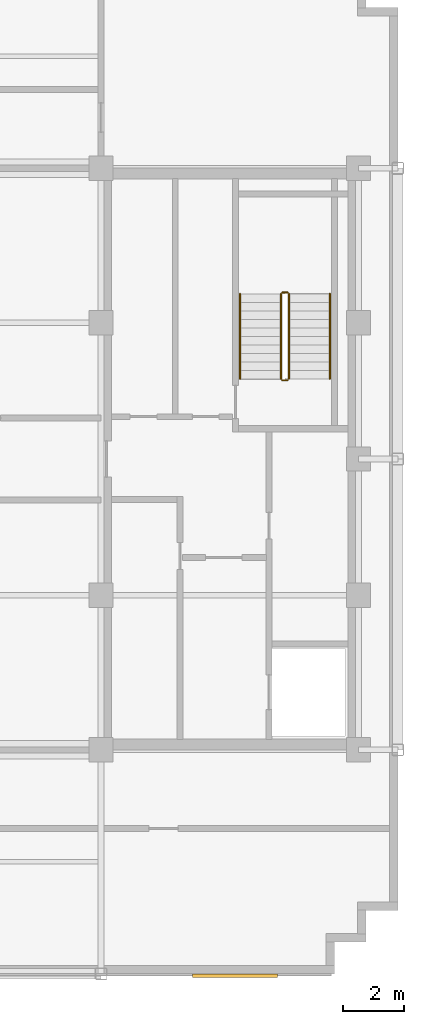
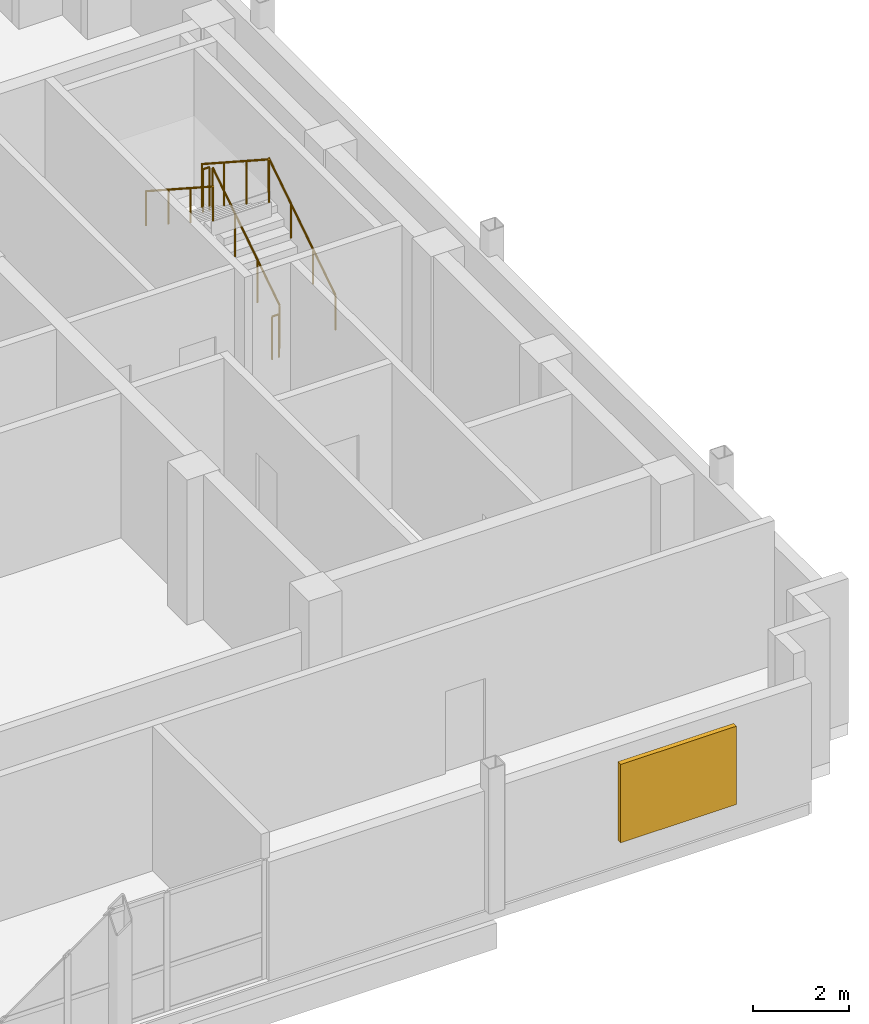
# One storey, part 9 of 10: 6 railings, 1 shading device.
"""IFC4 building model written with IfcOpenShell, lengths in metres."""

from ifc_helpers import new_model, si_unit, direction, frame, origin, origin_2d, place, context, subcontext, project, spatial, rectangle, circle, extrude, source, transform, mapped, material, type_object, type_shapes, element, save


model = new_model("IFC4")

# Units and contexts
model_context = context("Model", 3, precision=1e-05, world=origin(), true_north=direction((0.0, 1.0)))
body_context = subcontext(model_context, "Body", "Model", "MODEL_VIEW")
ifc_project = project(units=[si_unit("LENGTHUNIT", "METRE"), si_unit("AREAUNIT", "SQUARE_METRE"), si_unit("VOLUMEUNIT", "CUBIC_METRE"), si_unit("PLANEANGLEUNIT", "RADIAN"), si_unit("MASSUNIT", "GRAM", prefix="KILO")], contexts=[model_context])

# Site, building, storey
site_placement = place(None, origin())
site = spatial("IfcSite", under=ifc_project, at=site_placement, CompositionType="ELEMENT")
building_placement = place(site_placement, origin())
building = spatial("IfcBuilding", under=site, at=building_placement, Name="Nuvemarco Arch Tower", CompositionType="ELEMENT")
storey_placement = place(building_placement, frame((0.0, 0.0, 291.14990234375)))
storey = spatial("IfcBuildingStorey", under=building, at=storey_placement, Name="L77", CompositionType="ELEMENT", Elevation=291.14990234375)

# Railings
ifc_material_1 = material(Name="Brushed stainless steel handrail", Category="steel")
railing_type_1 = type_object("IfcRailingType", Name="RL-HANDRAIL-900", PredefinedType="HANDRAIL", material=ifc_material_1)
railing_1_placement = place(storey_placement, frame((16.550048828125, 2.64990234375, 0.181884765625)))
element("IfcRailing", 1, at=railing_1_placement, inside=storey, type_object=railing_type_1, Name="L77 ST-2 stair handrail 1", PredefinedType="HANDRAIL", context=body_context, shape_type="SweptSolid", body=[
    extrude(circle(Radius=0.02392578125, at=origin_2d()), frame((0.0, 0.0, 0.8759765625), z_axis=(0.0, 0.838705829183, 0.544584733623), x_axis=(-1.0, 0.0, 0.0)), (0.0, 0.0, 1.0), 3.338623046875),
    extrude(circle(Radius=0.02099609375, at=origin_2d()), origin(), (0.0, 0.0, 1.0), 0.851806640625),
    extrude(circle(Radius=0.02099609375, at=origin_2d()), frame((0.0, 0.933349609375, 0.60595703125)), (0.0, 0.0, 1.0), 0.851806640625),
    extrude(circle(Radius=0.02099609375, at=origin_2d()), frame((0.0, 1.86669921875, 1.212158203125)), (0.0, 0.0, 1.0), 0.851806640625),
    extrude(circle(Radius=0.02099609375, at=origin_2d()), frame((0.0, 2.800048828125, 1.818115234375)), (0.0, 0.0, 1.0), 0.851806640625),
])
railing_2_placement = place(storey_placement, frame((13.590087890625, 5.449951171875, 2.181884765625)))
element("IfcRailing", 2, at=railing_2_placement, inside=storey, type_object=railing_type_1, Name="L77 ST-2 stair handrail 2", PredefinedType="HANDRAIL", context=body_context, shape_type="SweptSolid", body=[
    extrude(circle(Radius=0.02392578125, at=origin_2d()), frame((0.0, 0.0, 0.8759765625), z_axis=(0.0, -0.838705829183, 0.544584733623), x_axis=(1.0, 0.0, 0.0)), (0.0, 0.0, 1.0), 3.338623046875),
    extrude(circle(Radius=0.02099609375, at=origin_2d()), origin(), (0.0, 0.0, 1.0), 0.851806640625),
    extrude(circle(Radius=0.02099609375, at=origin_2d()), frame((0.0, -0.933349609375, 0.60595703125)), (0.0, 0.0, 1.0), 0.851806640625),
    extrude(circle(Radius=0.02099609375, at=origin_2d()), frame((0.0, -1.86669921875, 1.212158203125)), (0.0, 0.0, 1.0), 0.851806640625),
    extrude(circle(Radius=0.02099609375, at=origin_2d()), frame((0.0, -2.800048828125, 1.818115234375)), (0.0, 0.0, 1.0), 0.851806640625),
])
ifc_material_2 = material(Name="Painted balustrade steel S355", Category="steel")
railing_type_2 = type_object("IfcRailingType", Name="RL-STAIR-GUARD", PredefinedType="GUARDRAIL", material=ifc_material_2)
railing_3_placement = place(storey_placement, frame((15.199951171875, 2.64990234375, 0.181884765625)))
element("IfcRailing", 3, at=railing_3_placement, inside=storey, type_object=railing_type_2, Name="L77 ST-2 stair guard 1", PredefinedType="GUARDRAIL", context=body_context, shape_type="SweptSolid", body=[
    extrude(circle(Radius=0.02392578125, at=origin_2d()), frame((0.0, 0.0, 1.09619140625), z_axis=(0.0, 0.838705829183, 0.544584733623), x_axis=(-1.0, 0.0, 0.0)), (0.0, 0.0, 1.0), 3.338623046875),
    extrude(circle(Radius=0.02099609375, at=origin_2d()), origin(), (0.0, 0.0, 1.0), 1.072021484375),
    extrude(circle(Radius=0.02099609375, at=origin_2d()), frame((0.0, 0.933349609375, 0.60595703125)), (0.0, 0.0, 1.0), 1.072021484375),
    extrude(circle(Radius=0.02099609375, at=origin_2d()), frame((0.0, 1.86669921875, 1.212158203125)), (0.0, 0.0, 1.0), 1.072021484375),
    extrude(circle(Radius=0.02099609375, at=origin_2d()), frame((0.0, 2.800048828125, 1.818115234375)), (0.0, 0.0, 1.0), 1.072021484375),
])
railing_4_placement = place(storey_placement, frame((15.14990234375, 5.5, 2.0)))
element("IfcRailing", 4, at=railing_4_placement, inside=storey, type_object=railing_type_2, Name="L77 ST-2 stair guard 2", PredefinedType="GUARDRAIL", context=body_context, shape_type="SweptSolid", body=[
    extrude(circle(Radius=0.02392578125, at=origin_2d()), frame((0.0, 0.0, 1.09619140625), z_axis=(-1.0, 0.0, 0.0), x_axis=(0.0, -1.0, 0.0)), (0.0, 0.0, 1.0), 0.159912109375),
    extrude(circle(Radius=0.02099609375, at=origin_2d()), origin(), (0.0, 0.0, 1.0), 1.072021484375),
    extrude(circle(Radius=0.02099609375, at=origin_2d()), frame((-0.159912109375, 0.0, 0.0)), (0.0, 0.0, 1.0), 1.072021484375),
])
railing_5_placement = place(storey_placement, frame((14.93994140625, 5.449951171875, 2.181884765625)))
element("IfcRailing", 5, at=railing_5_placement, inside=storey, type_object=railing_type_2, Name="L77 ST-2 stair guard 3", PredefinedType="GUARDRAIL", context=body_context, shape_type="SweptSolid", body=[
    extrude(circle(Radius=0.02392578125, at=origin_2d()), frame((0.0, 0.0, 1.09619140625), z_axis=(0.0, -0.838705829183, 0.544584733623), x_axis=(1.0, 0.0, 0.0)), (0.0, 0.0, 1.0), 3.338623046875),
    extrude(circle(Radius=0.02099609375, at=origin_2d()), origin(), (0.0, 0.0, 1.0), 1.072021484375),
    extrude(circle(Radius=0.02099609375, at=origin_2d()), frame((0.0, -0.933349609375, 0.60595703125)), (0.0, 0.0, 1.0), 1.072021484375),
    extrude(circle(Radius=0.02099609375, at=origin_2d()), frame((0.0, -1.86669921875, 1.212158203125)), (0.0, 0.0, 1.0), 1.072021484375),
    extrude(circle(Radius=0.02099609375, at=origin_2d()), frame((0.0, -2.800048828125, 1.818115234375)), (0.0, 0.0, 1.0), 1.072021484375),
])
railing_6_placement = place(storey_placement, frame((15.14990234375, 2.60009765625, 0.0)))
element("IfcRailing", 6, at=railing_6_placement, inside=storey, type_object=railing_type_2, Name="L77 ST-2 stair guard 4", PredefinedType="GUARDRAIL", context=body_context, shape_type="SweptSolid", body=[
    extrude(circle(Radius=0.02392578125, at=origin_2d()), frame((0.0, 0.0, 1.09619140625), z_axis=(-1.0, 0.0, 0.0), x_axis=(0.0, -1.0, 0.0)), (0.0, 0.0, 1.0), 0.159912109375),
    extrude(circle(Radius=0.02099609375, at=origin_2d()), origin(), (0.0, 0.0, 1.0), 1.072021484375),
    extrude(circle(Radius=0.02099609375, at=origin_2d()), frame((-0.159912109375, 0.0, 0.0)), (0.0, 0.0, 1.0), 1.072021484375),
])

# Shading device
ifc_material_3 = material(Name="Anodised aluminium 6063-T6", Category="aluminium")
shading_device_type = type_object("IfcShadingDeviceType", Name="SHD-LOUVRE-PLANT", PredefinedType="JALOUSIE", material=ifc_material_3)
shared_shape = source(origin(), body_context, "Body", "SweptSolid", [
    extrude(rectangle(XDim=2.800048828125, YDim=0.1201171875, at=origin_2d()), origin(), (0.0, 0.0, 1.0), 2.0),
])
type_shapes(shading_device_type, [shared_shape])
shading_device_placement = place(storey_placement, frame((13.425048828125, -17.054931640625, 0.650146484375), z_axis=(0.0, 0.0, 1.0), x_axis=(1.0, 0.0, 0.0)))
element("IfcShadingDevice", 7, at=shading_device_placement, inside=storey, type_object=shading_device_type, Name="L77 acoustic plant louvre panel 2", PredefinedType="JALOUSIE", context=body_context, shape_type="MappedRepresentation", body=[
    mapped(shared_shape, transform((0.0, 0.0, 0.0), scale=1.0)),
])

save(model, "model.ifc")
